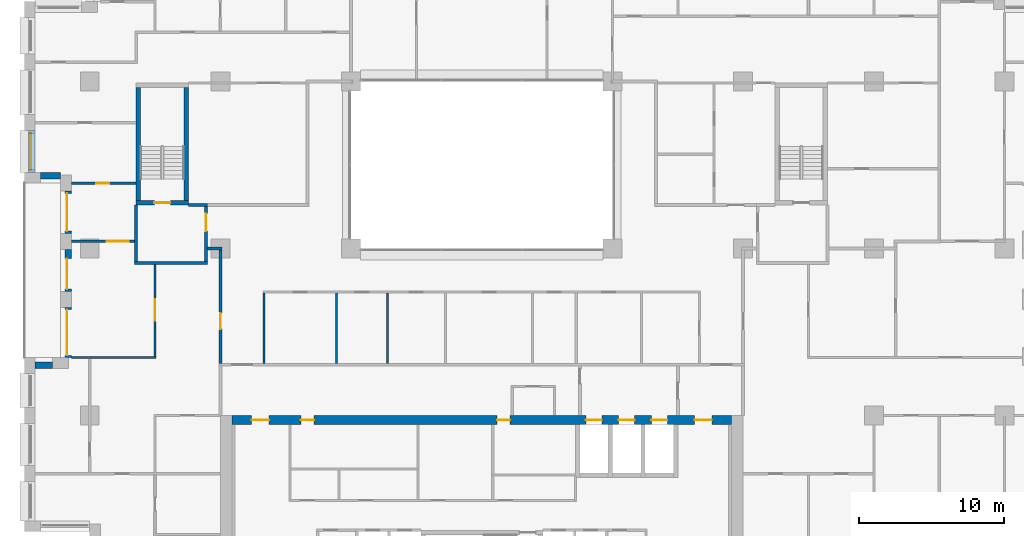
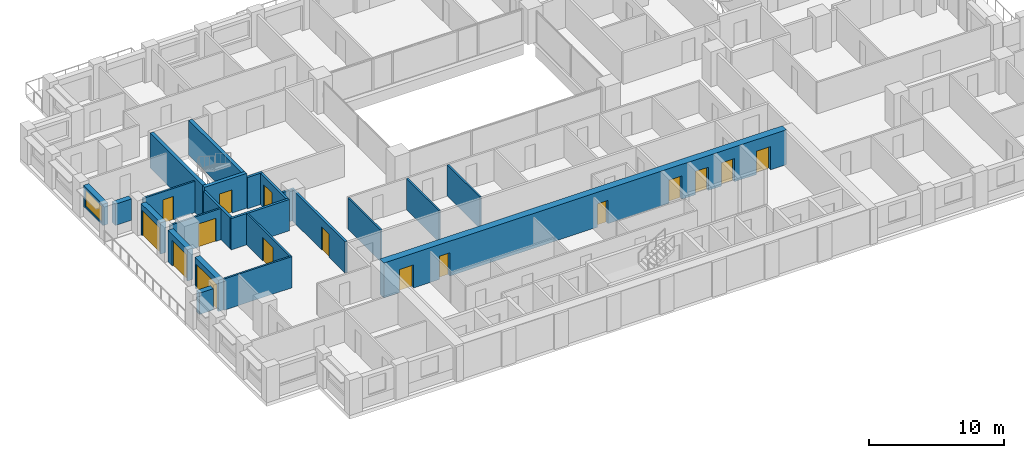
# One storey, part 9 of 16: 23 walls, 16 doors, 1 window, 17 openings.
"""IFC4 building model written with IfcOpenShell, lengths in metres."""

from ifc_helpers import new_model, si_unit, direction, frame, frame_2d, origin, place, context, subcontext, project, spatial, rectangle, extrude, material, layer, layer_set, type_object, element, fill, save


model = new_model("IFC4")

# Units and contexts
model_context = context("Model", 3, precision=1e-05, world=origin(), true_north=direction((0.0, 1.0)))
body_context = subcontext(model_context, "Body", "Model", "MODEL_VIEW")
ifc_project = project(units=[si_unit("LENGTHUNIT", "METRE"), si_unit("AREAUNIT", "SQUARE_METRE"), si_unit("VOLUMEUNIT", "CUBIC_METRE"), si_unit("PLANEANGLEUNIT", "RADIAN"), si_unit("MASSUNIT", "GRAM", prefix="KILO")], contexts=[model_context])

# Site, building, storey
site_placement = place(None, origin())
site = spatial("IfcSite", under=ifc_project, at=site_placement, CompositionType="ELEMENT")
building_placement = place(site_placement, origin())
building = spatial("IfcBuilding", under=site, at=building_placement, Name="Brigalow Station Residences", CompositionType="ELEMENT")
storey_placement = place(building_placement, frame((0.0, 0.0, 93.0)))
storey = spatial("IfcBuildingStorey", under=building, at=storey_placement, Name="L26", CompositionType="ELEMENT", Elevation=93.0)

# Wall, opening, window
ifc_material_1 = material(Name="Clay brick masonry", Category="masonry")
ifc_layer_1 = layer(ifc_material_1, 0.449951171875)
ifc_layer_set_1 = layer_set([ifc_layer_1], Name="BRICK INFILL WALL 450")
wall_type_1 = type_object("IfcWallType", Name="BRICK INFILL WALL 450", PredefinedType="SOLIDWALL", material=ifc_layer_set_1)
wall_1_placement = place(storey_placement, frame((5.02490234375, 32.116943359375, 0.89990234375), z_axis=(0.0, 0.0, 1.0), x_axis=(0.0, -1.0, 0.0)))
wall_1 = element("IfcWall", 1, at=wall_1_placement, inside=storey, type_object=wall_type_1, Name="L26/ewall/W-L26-41", PredefinedType="SOLIDWALL", context=body_context, shape_type="SweptSolid", body=[
    extrude(rectangle(XDim=2.866943359375, YDim=0.449951171875, at=frame_2d((1.43359375, 0.0))), origin(), (0.0, 0.0, 1.0), 1.93017578125),
])
opening_1_placement = place(wall_1_placement, frame((0.18359375, 0.0, 0.14990234375)))
opening_1 = element("IfcOpeningElement", 2, at=opening_1_placement, cuts=wall_1, Name="Opening WT-5", PredefinedType="OPENING", context=body_context, shape_type="SweptSolid", body=[
    extrude(rectangle(XDim=2.5, YDim=1.5, at=frame_2d((1.25, 0.75))), frame((0.0, 0.23486328125, 0.0), z_axis=(0.0, -1.0, 0.0), x_axis=(1.0, 0.0, 0.0)), (0.0, 0.0, 1.0), 0.469970703125),
])
ifc_material_2 = material(Name="Anodised aluminium frame with double glazing", Category="aluminium")
window_type = type_object("IfcWindowType", Name="WINDOW 2500x1500", PartitioningType="SINGLE_PANEL", PredefinedType="WINDOW", material=ifc_material_2)
window_placement = place(opening_1_placement, origin())
window = element("IfcWindow", 3, at=window_placement, inside=storey, type_object=window_type, Name="L26/window/W-L26-41", OverallHeight=1.5, OverallWidth=2.5, PartitioningType="SINGLE_PANEL", PredefinedType="WINDOW", context=body_context, shape_type="SweptSolid", body=[
    extrude(rectangle(XDim=2.5, YDim=1.5, at=frame_2d((1.25, 0.75))), frame((0.0, -0.06494140625, 0.0), z_axis=(0.0, -1.0, 0.0), x_axis=(1.0, 0.0, 0.0)), (0.0, 0.0, 1.0), 0.06005859375),
])
fill(opening_1, window)

# Wall
wall_2_placement = place(storey_placement, frame((5.60009765625, 29.02490234375, 0.89990234375), z_axis=(0.0, 0.0, 1.0), x_axis=(1.0, 0.0, 0.0)))
element("IfcWall", 4, at=wall_2_placement, inside=storey, type_object=wall_type_1, Name="L26/ewall/W-L26-42", PredefinedType="SOLIDWALL", context=body_context, shape_type="SweptSolid", body=[
    extrude(rectangle(XDim=1.39990234375, YDim=0.449951171875, at=frame_2d((0.699951171875, 0.0))), origin(), (0.0, 0.0, 1.0), 1.93017578125),
])

# Wall, opening, door
wall_3_placement = place(storey_placement, frame((7.52490234375, 27.949951171875, 0.0), z_axis=(0.0, 0.0, 1.0), x_axis=(0.0, -1.0, 0.0)))
wall_3 = element("IfcWall", 5, at=wall_3_placement, inside=storey, type_object=wall_type_1, Name="L26/ewall/W-L26-43", PredefinedType="SOLIDWALL", context=body_context, shape_type="SweptSolid", body=[
    extrude(rectangle(XDim=2.89990234375, YDim=0.449951171875, at=frame_2d((1.449951171875, 0.0))), origin(), (0.0, 0.0, 1.0), 2.830078125),
])
opening_2_placement = place(wall_3_placement, frame((0.14990234375, 0.0, 0.0)))
opening_2 = element("IfcOpeningElement", 6, at=opening_2_placement, cuts=wall_3, Name="Opening D-B2600", PredefinedType="OPENING", context=body_context, shape_type="SweptSolid", body=[
    extrude(rectangle(XDim=2.60009765625, YDim=2.300048828125, at=frame_2d((1.300048828125, 1.14990234375))), frame((0.0, 0.23486328125, 0.0), z_axis=(0.0, -1.0, 0.0), x_axis=(1.0, 0.0, 0.0)), (0.0, 0.0, 1.0), 0.469970703125),
])
ifc_material_3 = material(Name="Anodised aluminium frame with double glazing", Category="aluminium")
door_type_1 = type_object("IfcDoorType", Name="BALCONY SLIDING DOOR 2600x2300", OperationType="SLIDING_TO_LEFT", PredefinedType="DOOR", material=ifc_material_3)
door_1_placement = place(opening_2_placement, origin())
door_1 = element("IfcDoor", 7, at=door_1_placement, inside=storey, type_object=door_type_1, Name="L26/balcony-door/W-L26-43", OperationType="SLIDING_TO_LEFT", OverallHeight=2.300048828125, OverallWidth=2.60009765625, PredefinedType="DOOR", context=body_context, shape_type="SweptSolid", body=[
    extrude(rectangle(XDim=2.60009765625, YDim=2.300048828125, at=frame_2d((1.300048828125, 1.14990234375))), frame((0.0, -0.06982421875, 0.0), z_axis=(0.0, -1.0, 0.0), x_axis=(1.0, 0.0, 0.0)), (0.0, 0.0, 1.0), 0.050048828125),
])
fill(opening_2, door_1)

wall_4_placement = place(storey_placement, frame((7.52490234375, 23.949951171875, 0.0), z_axis=(0.0, 0.0, 1.0), x_axis=(0.0, -1.0, 0.0)))
wall_4 = element("IfcWall", 8, at=wall_4_placement, inside=storey, type_object=wall_type_1, Name="L26/ewall/W-L26-44", PredefinedType="SOLIDWALL", context=body_context, shape_type="SweptSolid", body=[
    extrude(rectangle(XDim=2.89990234375, YDim=0.449951171875, at=frame_2d((1.449951171875, 0.0))), origin(), (0.0, 0.0, 1.0), 2.830078125),
])
opening_3_placement = place(wall_4_placement, frame((0.635009765625, 0.0, 0.0)))
opening_3 = element("IfcOpeningElement", 9, at=opening_3_placement, cuts=wall_4, Name="Opening D-B2100", PredefinedType="OPENING", context=body_context, shape_type="SweptSolid", body=[
    extrude(rectangle(XDim=2.10009765625, YDim=2.300048828125, at=frame_2d((1.050048828125, 1.14990234375))), frame((0.0, 0.23486328125, 0.0), z_axis=(0.0, -1.0, 0.0), x_axis=(1.0, 0.0, 0.0)), (0.0, 0.0, 1.0), 0.469970703125),
])
ifc_material_4 = material(Name="Anodised aluminium frame with double glazing", Category="aluminium")
door_type_2 = type_object("IfcDoorType", Name="BALCONY SLIDING DOOR 2100x2300", OperationType="SLIDING_TO_LEFT", PredefinedType="DOOR", material=ifc_material_4)
door_2_placement = place(opening_3_placement, origin())
door_2 = element("IfcDoor", 10, at=door_2_placement, inside=storey, type_object=door_type_2, Name="L26/balcony-door/W-L26-44", OperationType="SLIDING_TO_LEFT", OverallHeight=2.300048828125, OverallWidth=2.10009765625, PredefinedType="DOOR", context=body_context, shape_type="SweptSolid", body=[
    extrude(rectangle(XDim=2.10009765625, YDim=2.300048828125, at=frame_2d((1.050048828125, 1.14990234375))), frame((0.0, -0.06982421875, 0.0), z_axis=(0.0, -1.0, 0.0), x_axis=(1.0, 0.0, 0.0)), (0.0, 0.0, 1.0), 0.050048828125),
])
fill(opening_3, door_2)

wall_5_placement = place(storey_placement, frame((7.52490234375, 19.949951171875, 0.0), z_axis=(0.0, 0.0, 1.0), x_axis=(0.0, -1.0, 0.0)))
wall_5 = element("IfcWall", 11, at=wall_5_placement, inside=storey, type_object=wall_type_1, Name="L26/ewall/W-L26-45", PredefinedType="SOLIDWALL", context=body_context, shape_type="SweptSolid", body=[
    extrude(rectangle(XDim=3.449951171875, YDim=0.449951171875, at=frame_2d((1.72509765625, 0.0))), origin(), (0.0, 0.0, 1.0), 2.830078125),
])
opening_4_placement = place(wall_5_placement, frame((0.14990234375, 0.0, 0.0)))
opening_4 = element("IfcOpeningElement", 12, at=opening_4_placement, cuts=wall_5, Name="Opening D-B3150", PredefinedType="OPENING", context=body_context, shape_type="SweptSolid", body=[
    extrude(rectangle(XDim=3.14990234375, YDim=2.300048828125, at=frame_2d((1.574951171875, 1.14990234375))), frame((0.0, 0.23486328125, 0.0), z_axis=(0.0, -1.0, 0.0), x_axis=(1.0, 0.0, 0.0)), (0.0, 0.0, 1.0), 0.469970703125),
])
ifc_material_5 = material(Name="Anodised aluminium frame with double glazing", Category="aluminium")
door_type_3 = type_object("IfcDoorType", Name="BALCONY SLIDING DOOR 3150x2300", OperationType="SLIDING_TO_LEFT", PredefinedType="DOOR", material=ifc_material_5)
door_3_placement = place(opening_4_placement, origin())
door_3 = element("IfcDoor", 13, at=door_3_placement, inside=storey, type_object=door_type_3, Name="L26/balcony-door/W-L26-45", OperationType="SLIDING_TO_LEFT", OverallHeight=2.300048828125, OverallWidth=3.14990234375, PredefinedType="DOOR", context=body_context, shape_type="SweptSolid", body=[
    extrude(rectangle(XDim=3.14990234375, YDim=2.300048828125, at=frame_2d((1.574951171875, 1.14990234375))), frame((0.0, -0.06982421875, 0.0), z_axis=(0.0, -1.0, 0.0), x_axis=(1.0, 0.0, 0.0)), (0.0, 0.0, 1.0), 0.050048828125),
])
fill(opening_4, door_3)

# Wall
wall_6_placement = place(storey_placement, frame((6.449951171875, 15.97509765625, 0.89990234375), z_axis=(0.0, 0.0, 1.0), x_axis=(-1.0, 0.0, 0.0)))
element("IfcWall", 14, at=wall_6_placement, inside=storey, type_object=wall_type_1, Name="L26/ewall/W-L26-46", PredefinedType="SOLIDWALL", context=body_context, shape_type="SweptSolid", body=[
    extrude(rectangle(XDim=1.199951171875, YDim=0.449951171875, at=frame_2d((0.60009765625, 0.0))), origin(), (0.0, 0.0, 1.0), 1.93017578125),
])

# Wall, opening, door
ifc_material_6 = material(Name="Concrete C65", Category="concrete")
ifc_layer_2 = layer(ifc_material_6, 0.300048828125)
ifc_layer_set_2 = layer_set([ifc_layer_2], Name="CORE SHEAR WALL 300 C65")
wall_type_2 = type_object("IfcWallType", Name="CORE SHEAR WALL 300 C65", PredefinedType="SHEAR", material=ifc_layer_set_2)
wall_7_placement = place(storey_placement, frame((12.199951171875, 27.14990234375, 0.0), z_axis=(0.0, 0.0, 1.0), x_axis=(1.0, 0.0, 0.0)))
wall_7 = element("IfcWall", 15, at=wall_7_placement, inside=storey, type_object=wall_type_2, Name="CORE WALL ST-S1-S L26", PredefinedType="SHEAR", context=body_context, shape_type="SweptSolid", body=[
    extrude(rectangle(XDim=3.60009765625, YDim=0.300048828125, at=frame_2d((1.800048828125, 0.0))), origin(), (0.0, 0.0, 1.0), 3.14990234375),
])
opening_5_placement = place(wall_7_placement, frame((1.25, 0.0, 0.0)))
opening_5 = element("IfcOpeningElement", 16, at=opening_5_placement, cuts=wall_7, Name="Opening D-5015", PredefinedType="OPENING", context=body_context, shape_type="SweptSolid", body=[
    extrude(rectangle(XDim=1.10009765625, YDim=2.10009765625, at=frame_2d((0.550048828125, 1.050048828125))), frame((0.0, 0.16015625, 0.0), z_axis=(0.0, -1.0, 0.0), x_axis=(1.0, 0.0, 0.0)), (0.0, 0.0, 1.0), 0.320068359375),
])
ifc_material_7 = material(Name="Steel fire door leaf in steel frame", Category="steel")
door_type_4 = type_object("IfcDoorType", Name="STAIR DOOR 1100 x 2100 FD60S", OperationType="SINGLE_SWING_LEFT", PredefinedType="DOOR", material=ifc_material_7)
door_4_placement = place(opening_5_placement, origin())
door_4 = element("IfcDoor", 17, at=door_4_placement, inside=storey, type_object=door_type_4, Name="D-5015", OperationType="SINGLE_SWING_LEFT", OverallHeight=2.10009765625, OverallWidth=1.10009765625, PredefinedType="DOOR", context=body_context, shape_type="SweptSolid", body=[
    extrude(rectangle(XDim=1.10009765625, YDim=2.10009765625, at=frame_2d((0.550048828125, 1.050048828125))), frame((0.0, 0.02490234375, 0.0), z_axis=(0.0, -1.0, 0.0), x_axis=(1.0, 0.0, 0.0)), (0.0, 0.0, 1.0), 0.050048828125),
])
fill(opening_5, door_4)

# Walls
for number, where, z_axis, x_axis, name in (
    (18, (12.35009765625, 27.300048828125, 0.0), (0.0, 0.0, 1.0), (0.0, 1.0, 0.0), "CORE WALL ST-S1-W L26"),
    (19, (15.64990234375, 27.300048828125, 0.0), (0.0, 0.0, 1.0), (0.0, 1.0, 0.0), "CORE WALL ST-S1-E L26"),
):
    element("IfcWall", number, at=place(storey_placement, frame(where, z_axis=z_axis, x_axis=x_axis)), inside=storey, type_object=wall_type_2, Name=name, PredefinedType="SHEAR", context=body_context, shape_type="SweptSolid", body=[
        extrude(rectangle(XDim=7.800048828125, YDim=0.300048828125, at=frame_2d((3.89990234375, 0.0))), origin(), (0.0, 0.0, 1.0), 3.14990234375),
    ])

# Wall, openings, doors
ifc_material_8 = material(Name="Concrete C65", Category="concrete")
ifc_layer_3 = layer(ifc_material_8, 0.60009765625)
ifc_layer_set_3 = layer_set([ifc_layer_3], Name="CORE SHEAR WALL 600 C65")
wall_type_3 = type_object("IfcWallType", Name="CORE SHEAR WALL 600 C65", PredefinedType="SHEAR", material=ifc_layer_set_3)
wall_8_placement = place(storey_placement, frame((18.800048828125, 12.199951171875, 0.0), z_axis=(0.0, 0.0, 1.0), x_axis=(1.0, 0.0, 0.0)))
wall_8 = element("IfcWall", 20, at=wall_8_placement, inside=storey, type_object=wall_type_3, Name="CORE WALL OUT-N L26", PredefinedType="SHEAR", context=body_context, shape_type="SweptSolid", body=[
    extrude(rectangle(XDim=34.39990234375, YDim=0.60009765625, at=frame_2d((17.199951171875, 0.0))), origin(), (0.0, 0.0, 1.0), 3.14990234375),
])
opening_6_placement = place(wall_8_placement, frame((24.375, 0.0, 0.0)))
opening_6 = element("IfcOpeningElement", 21, at=opening_6_placement, cuts=wall_8, Name="Opening LD-LF1", PredefinedType="OPENING", context=body_context, shape_type="SweptSolid", body=[
    extrude(rectangle(XDim=1.10009765625, YDim=2.10009765625, at=frame_2d((0.550048828125, 1.050048828125))), frame((0.0, 0.31005859375, 0.0), z_axis=(0.0, -1.0, 0.0), x_axis=(1.0, 0.0, 0.0)), (0.0, 0.0, 1.0), 0.6201171875),
])
opening_7_placement = place(wall_8_placement, frame((26.625, 0.0, 0.0)))
opening_7 = element("IfcOpeningElement", 22, at=opening_7_placement, cuts=wall_8, Name="Opening LD-LF2", PredefinedType="OPENING", context=body_context, shape_type="SweptSolid", body=[
    extrude(rectangle(XDim=1.10009765625, YDim=2.10009765625, at=frame_2d((0.550048828125, 1.050048828125))), frame((0.0, 0.31005859375, 0.0), z_axis=(0.0, -1.0, 0.0), x_axis=(1.0, 0.0, 0.0)), (0.0, 0.0, 1.0), 0.6201171875),
])
opening_8_placement = place(wall_8_placement, frame((28.875, 0.0, 0.0)))
opening_8 = element("IfcOpeningElement", 23, at=opening_8_placement, cuts=wall_8, Name="Opening LD-LG1", PredefinedType="OPENING", context=body_context, shape_type="SweptSolid", body=[
    extrude(rectangle(XDim=1.10009765625, YDim=2.10009765625, at=frame_2d((0.550048828125, 1.050048828125))), frame((0.0, 0.31005859375, 0.0), z_axis=(0.0, -1.0, 0.0), x_axis=(1.0, 0.0, 0.0)), (0.0, 0.0, 1.0), 0.6201171875),
])
opening_9_placement = place(wall_8_placement, frame((4.75, 0.0, 0.0)))
opening_9 = element("IfcOpeningElement", 24, at=opening_9_placement, cuts=wall_8, Name="Opening D-5118", PredefinedType="OPENING", context=body_context, shape_type="SweptSolid", body=[
    extrude(rectangle(XDim=0.89990234375, YDim=2.10009765625, at=frame_2d((0.449951171875, 1.050048828125))), frame((0.0, 0.31005859375, 0.0), z_axis=(0.0, -1.0, 0.0), x_axis=(1.0, 0.0, 0.0)), (0.0, 0.0, 1.0), 0.6201171875),
])
opening_10_placement = place(wall_8_placement, frame((18.25, 0.0, 0.0)))
opening_10 = element("IfcOpeningElement", 25, at=opening_10_placement, cuts=wall_8, Name="Opening D-5119", PredefinedType="OPENING", context=body_context, shape_type="SweptSolid", body=[
    extrude(rectangle(XDim=0.89990234375, YDim=2.10009765625, at=frame_2d((0.449951171875, 1.050048828125))), frame((0.0, 0.31005859375, 0.0), z_axis=(0.0, -1.0, 0.0), x_axis=(1.0, 0.0, 0.0)), (0.0, 0.0, 1.0), 0.6201171875),
])
opening_11_placement = place(wall_8_placement, frame((1.35009765625, 0.0, 0.0)))
opening_11 = element("IfcOpeningElement", 26, at=opening_11_placement, cuts=wall_8, Name="Opening D-5011", PredefinedType="OPENING", context=body_context, shape_type="SweptSolid", body=[
    extrude(rectangle(XDim=1.199951171875, YDim=2.10009765625, at=frame_2d((0.60009765625, 1.050048828125))), frame((0.0, 0.31005859375, 0.0), z_axis=(0.0, -1.0, 0.0), x_axis=(1.0, 0.0, 0.0)), (0.0, 0.0, 1.0), 0.6201171875),
])
opening_12_placement = place(wall_8_placement, frame((31.85009765625, 0.0, 0.0)))
opening_12 = element("IfcOpeningElement", 27, at=opening_12_placement, cuts=wall_8, Name="Opening D-5012", PredefinedType="OPENING", context=body_context, shape_type="SweptSolid", body=[
    extrude(rectangle(XDim=1.199951171875, YDim=2.10009765625, at=frame_2d((0.60009765625, 1.050048828125))), frame((0.0, 0.31005859375, 0.0), z_axis=(0.0, -1.0, 0.0), x_axis=(1.0, 0.0, 0.0)), (0.0, 0.0, 1.0), 0.6201171875),
])
ifc_material_9 = material(Name="Steel fire door leaf in steel frame", Category="steel")
door_type_5 = type_object("IfcDoorType", Name="CORE CORRIDOR DOOR 1200 x 2100 FD60S", OperationType="SINGLE_SWING_LEFT", PredefinedType="DOOR", material=ifc_material_9)
door_5_placement = place(opening_11_placement, frame((1.199951171875, 0.0, 0.0), z_axis=(0.0, 0.0, 1.0), x_axis=(-1.0, 0.0, 0.0)))
door_5 = element("IfcDoor", 28, at=door_5_placement, inside=storey, type_object=door_type_5, Name="D-5011", OperationType="SINGLE_SWING_LEFT", OverallHeight=2.10009765625, OverallWidth=1.199951171875, PredefinedType="DOOR", context=body_context, shape_type="SweptSolid", body=[
    extrude(rectangle(XDim=1.199951171875, YDim=2.10009765625, at=frame_2d((0.60009765625, 1.050048828125))), frame((0.0, 0.02490234375, 0.0), z_axis=(0.0, -1.0, 0.0), x_axis=(1.0, 0.0, 0.0)), (0.0, 0.0, 1.0), 0.050048828125),
])
fill(opening_11, door_5)
door_6_placement = place(opening_12_placement, frame((1.199951171875, 0.0, 0.0), z_axis=(0.0, 0.0, 1.0), x_axis=(-1.0, 0.0, 0.0)))
door_6 = element("IfcDoor", 29, at=door_6_placement, inside=storey, type_object=door_type_5, Name="D-5012", OperationType="SINGLE_SWING_LEFT", OverallHeight=2.10009765625, OverallWidth=1.199951171875, PredefinedType="DOOR", context=body_context, shape_type="SweptSolid", body=[
    extrude(rectangle(XDim=1.199951171875, YDim=2.10009765625, at=frame_2d((0.60009765625, 1.050048828125))), frame((0.0, 0.02490234375, 0.0), z_axis=(0.0, -1.0, 0.0), x_axis=(1.0, 0.0, 0.0)), (0.0, 0.0, 1.0), 0.050048828125),
])
fill(opening_12, door_6)
ifc_material_10 = material(Name="Stainless steel sliding door leaves", Category="steel")
door_type_6 = type_object("IfcDoorType", Name="LIFT LANDING DOOR 1100 x 2100", OperationType="DOUBLE_DOOR_SLIDING", PredefinedType="DOOR", material=ifc_material_10)
door_7_placement = place(opening_6_placement, origin())
door_7 = element("IfcDoor", 30, at=door_7_placement, inside=storey, type_object=door_type_6, Name="LANDING DOOR LF1", OperationType="DOUBLE_DOOR_SLIDING", OverallHeight=2.10009765625, OverallWidth=1.10009765625, PredefinedType="DOOR", context=body_context, shape_type="SweptSolid", body=[
    extrude(rectangle(XDim=1.10009765625, YDim=2.10009765625, at=frame_2d((0.550048828125, 1.050048828125))), frame((0.0, 0.02490234375, 0.0), z_axis=(0.0, -1.0, 0.0), x_axis=(1.0, 0.0, 0.0)), (0.0, 0.0, 1.0), 0.050048828125),
])
fill(opening_6, door_7)
door_8_placement = place(opening_7_placement, origin())
door_8 = element("IfcDoor", 31, at=door_8_placement, inside=storey, type_object=door_type_6, Name="LANDING DOOR LF2", OperationType="DOUBLE_DOOR_SLIDING", OverallHeight=2.10009765625, OverallWidth=1.10009765625, PredefinedType="DOOR", context=body_context, shape_type="SweptSolid", body=[
    extrude(rectangle(XDim=1.10009765625, YDim=2.10009765625, at=frame_2d((0.550048828125, 1.050048828125))), frame((0.0, 0.02490234375, 0.0), z_axis=(0.0, -1.0, 0.0), x_axis=(1.0, 0.0, 0.0)), (0.0, 0.0, 1.0), 0.050048828125),
])
fill(opening_7, door_8)
door_9_placement = place(opening_8_placement, origin())
door_9 = element("IfcDoor", 32, at=door_9_placement, inside=storey, type_object=door_type_6, Name="LANDING DOOR LG1", OperationType="DOUBLE_DOOR_SLIDING", OverallHeight=2.10009765625, OverallWidth=1.10009765625, PredefinedType="DOOR", context=body_context, shape_type="SweptSolid", body=[
    extrude(rectangle(XDim=1.10009765625, YDim=2.10009765625, at=frame_2d((0.550048828125, 1.050048828125))), frame((0.0, 0.02490234375, 0.0), z_axis=(0.0, -1.0, 0.0), x_axis=(1.0, 0.0, 0.0)), (0.0, 0.0, 1.0), 0.050048828125),
])
fill(opening_8, door_9)
ifc_material_11 = material(Name="Steel door leaf in steel frame", Category="steel")
door_type_7 = type_object("IfcDoorType", Name="SERVICE ROOM DOOR 900 x 2100 FD60", OperationType="SINGLE_SWING_LEFT", PredefinedType="DOOR", material=ifc_material_11)
door_10_placement = place(opening_9_placement, frame((0.89990234375, 0.0, 0.0), z_axis=(0.0, 0.0, 1.0), x_axis=(-1.0, 0.0, 0.0)))
door_10 = element("IfcDoor", 33, at=door_10_placement, inside=storey, type_object=door_type_7, Name="D-5118", OperationType="SINGLE_SWING_RIGHT", OverallHeight=2.10009765625, OverallWidth=0.89990234375, PredefinedType="DOOR", context=body_context, shape_type="SweptSolid", body=[
    extrude(rectangle(XDim=0.89990234375, YDim=2.10009765625, at=frame_2d((0.449951171875, 1.050048828125))), frame((0.0, 0.02490234375, 0.0), z_axis=(0.0, -1.0, 0.0), x_axis=(1.0, 0.0, 0.0)), (0.0, 0.0, 1.0), 0.050048828125),
])
fill(opening_9, door_10)
door_11_placement = place(opening_10_placement, frame((0.89990234375, 0.0, 0.0), z_axis=(0.0, 0.0, 1.0), x_axis=(-1.0, 0.0, 0.0)))
door_11 = element("IfcDoor", 34, at=door_11_placement, inside=storey, type_object=door_type_7, Name="D-5119", OperationType="SINGLE_SWING_RIGHT", OverallHeight=2.10009765625, OverallWidth=0.89990234375, PredefinedType="DOOR", context=body_context, shape_type="SweptSolid", body=[
    extrude(rectangle(XDim=0.89990234375, YDim=2.10009765625, at=frame_2d((0.449951171875, 1.050048828125))), frame((0.0, 0.02490234375, 0.0), z_axis=(0.0, -1.0, 0.0), x_axis=(1.0, 0.0, 0.0)), (0.0, 0.0, 1.0), 0.050048828125),
])
fill(opening_10, door_11)

# Walls
ifc_material_12 = material(Name="Concrete blockwork", Category="masonry")
ifc_layer_4 = layer(ifc_material_12, 0.199951171875)
ifc_layer_set_4 = layer_set([ifc_layer_4], Name="FIRE RATED CORE PARTITION 200")
wall_type_4 = type_object("IfcWallType", Name="FIRE RATED CORE PARTITION 200", PredefinedType="PARTITIONING", material=ifc_layer_set_4)
wall_9_placement = place(storey_placement, frame((12.10009765625, 23.0, 0.0), z_axis=(0.0, 0.0, 1.0), x_axis=(1.0, 0.0, 0.0)))
element("IfcWall", 35, at=wall_9_placement, inside=storey, type_object=wall_type_4, Name="PW-5023", PredefinedType="PARTITIONING", context=body_context, shape_type="SweptSolid", body=[
    extrude(rectangle(XDim=5.0, YDim=0.199951171875, at=frame_2d((2.5, 0.0))), origin(), (0.0, 0.0, 1.0), 2.830078125),
])
wall_10_placement = place(storey_placement, frame((15.800048828125, 27.0, 0.0), z_axis=(0.0, 0.0, 1.0), x_axis=(1.0, 0.0, 0.0)))
element("IfcWall", 36, at=wall_10_placement, inside=storey, type_object=wall_type_4, Name="PW-5025", PredefinedType="PARTITIONING", context=body_context, shape_type="SweptSolid", body=[
    extrude(rectangle(XDim=1.300048828125, YDim=0.199951171875, at=frame_2d((0.64990234375, 0.0))), origin(), (0.0, 0.0, 1.0), 2.830078125),
])
wall_11_placement = place(storey_placement, frame((12.199951171875, 23.10009765625, 0.0), z_axis=(0.0, 0.0, 1.0), x_axis=(0.0, 1.0, 0.0)))
element("IfcWall", 37, at=wall_11_placement, inside=storey, type_object=wall_type_4, Name="PW-5034", PredefinedType="PARTITIONING", context=body_context, shape_type="SweptSolid", body=[
    extrude(rectangle(XDim=3.89990234375, YDim=0.199951171875, at=frame_2d((1.949951171875, 0.0))), origin(), (0.0, 0.0, 1.0), 2.830078125),
])

# Wall, opening, door
wall_12_placement = place(storey_placement, frame((17.0, 23.10009765625, 0.0), z_axis=(0.0, 0.0, 1.0), x_axis=(0.0, 1.0, 0.0)))
wall_12 = element("IfcWall", 38, at=wall_12_placement, inside=storey, type_object=wall_type_4, Name="PW-5035", PredefinedType="PARTITIONING", context=body_context, shape_type="SweptSolid", body=[
    extrude(rectangle(XDim=3.7998046875, YDim=0.199951171875, at=frame_2d((1.89990234375, 0.0))), origin(), (0.0, 0.0, 1.0), 2.830078125),
])
opening_13_placement = place(wall_12_placement, frame((2.10009765625, 0.0, 0.0)))
opening_13 = element("IfcOpeningElement", 39, at=opening_13_placement, cuts=wall_12, Name="Opening D-5016", PredefinedType="OPENING", context=body_context, shape_type="SweptSolid", body=[
    extrude(rectangle(XDim=1.199951171875, YDim=2.10009765625, at=frame_2d((0.60009765625, 1.050048828125))), frame((0.0, 0.10986328125, 0.0), z_axis=(0.0, -1.0, 0.0), x_axis=(1.0, 0.0, 0.0)), (0.0, 0.0, 1.0), 0.219970703125),
])
ifc_material_13 = material(Name="Steel fire door leaf in steel frame", Category="steel")
door_type_8 = type_object("IfcDoorType", Name="STAIR LOBBY DOOR 1200 x 2100 FD60S", OperationType="SINGLE_SWING_LEFT", PredefinedType="DOOR", material=ifc_material_13)
door_12_placement = place(opening_13_placement, origin())
door_12 = element("IfcDoor", 40, at=door_12_placement, inside=storey, type_object=door_type_8, Name="D-5016", OperationType="SINGLE_SWING_RIGHT", OverallHeight=2.10009765625, OverallWidth=1.199951171875, PredefinedType="DOOR", context=body_context, shape_type="SweptSolid", body=[
    extrude(rectangle(XDim=1.199951171875, YDim=2.10009765625, at=frame_2d((0.60009765625, 1.050048828125))), frame((0.0, 0.02490234375, 0.0), z_axis=(0.0, -1.0, 0.0), x_axis=(1.0, 0.0, 0.0)), (0.0, 0.0, 1.0), 0.050048828125),
])
fill(opening_13, door_12)

# Wall
ifc_material_14 = material(Name="Plasterboard on steel stud partition", Category="steel")
ifc_layer_5 = layer(ifc_material_14, 0.14990234375)
ifc_layer_set_5 = layer_set([ifc_layer_5], Name="FLAT PARTITION 150")
wall_type_5 = type_object("IfcWallType", Name="FLAT PARTITION 150", PredefinedType="PARTITIONING", material=ifc_layer_set_5)
wall_13_placement = place(storey_placement, frame((7.75, 16.5, 0.0), z_axis=(0.0, 0.0, 1.0), x_axis=(1.0, 0.0, 0.0)))
element("IfcWall", 41, at=wall_13_placement, inside=storey, type_object=wall_type_5, Name="PW-2B14", PredefinedType="PARTITIONING", context=body_context, shape_type="SweptSolid", body=[
    extrude(rectangle(XDim=5.824951171875, YDim=0.14990234375, at=frame_2d((2.91259765625, 0.0))), origin(), (0.0, 0.0, 1.0), 2.830078125),
])

# Wall, opening, door
wall_14_placement = place(storey_placement, frame((7.75, 24.5, 0.0), z_axis=(0.0, 0.0, 1.0), x_axis=(1.0, 0.0, 0.0)))
wall_14 = element("IfcWall", 42, at=wall_14_placement, inside=storey, type_object=wall_type_5, Name="PW-2B18", PredefinedType="PARTITIONING", context=body_context, shape_type="SweptSolid", body=[
    extrude(rectangle(XDim=4.35009765625, YDim=0.14990234375, at=frame_2d((2.175048828125, 0.0))), origin(), (0.0, 0.0, 1.0), 2.830078125),
])
opening_14_placement = place(wall_14_placement, frame((2.425048828125, 0.0, 0.0)))
opening_14 = element("IfcOpeningElement", 43, at=opening_14_placement, cuts=wall_14, Name="Opening D-2B10", PredefinedType="OPENING", context=body_context, shape_type="SweptSolid", body=[
    extrude(rectangle(XDim=1.5, YDim=2.10009765625, at=frame_2d((0.75, 1.050048828125))), frame((0.0, 0.0849609375, 0.0), z_axis=(0.0, -1.0, 0.0), x_axis=(1.0, 0.0, 0.0)), (0.0, 0.0, 1.0), 0.169921875),
])
ifc_material_15 = material(Name="Solid-core timber door leaf", Category="wood")
door_type_9 = type_object("IfcDoorType", Name="INTERNAL DOUBLE DOOR 1500 x 2100", OperationType="DOUBLE_DOOR_SINGLE_SWING", PredefinedType="DOOR", material=ifc_material_15)
door_13_placement = place(opening_14_placement, origin())
door_13 = element("IfcDoor", 44, at=door_13_placement, inside=storey, type_object=door_type_9, Name="D-2B10", OperationType="DOUBLE_DOOR_SINGLE_SWING", OverallHeight=2.10009765625, OverallWidth=1.5, PredefinedType="DOOR", context=body_context, shape_type="SweptSolid", body=[
    extrude(rectangle(XDim=1.5, YDim=2.10009765625, at=frame_2d((0.75, 1.050048828125))), frame((0.0, 0.02490234375, 0.0), z_axis=(0.0, -1.0, 0.0), x_axis=(1.0, 0.0, 0.0)), (0.0, 0.0, 1.0), 0.050048828125),
])
fill(opening_14, door_13)

wall_15_placement = place(storey_placement, frame((7.75, 28.5, 0.0), z_axis=(0.0, 0.0, 1.0), x_axis=(1.0, 0.0, 0.0)))
wall_15 = element("IfcWall", 45, at=wall_15_placement, inside=storey, type_object=wall_type_5, Name="PW-2B21", PredefinedType="PARTITIONING", context=body_context, shape_type="SweptSolid", body=[
    extrude(rectangle(XDim=4.449951171875, YDim=0.14990234375, at=frame_2d((2.22509765625, 0.0))), origin(), (0.0, 0.0, 1.0), 2.830078125),
])
opening_15_placement = place(wall_15_placement, frame((1.699951171875, 0.0, 0.0)))
opening_15 = element("IfcOpeningElement", 46, at=opening_15_placement, cuts=wall_15, Name="Opening D-2B11", PredefinedType="OPENING", context=body_context, shape_type="SweptSolid", body=[
    extrude(rectangle(XDim=0.89990234375, YDim=2.10009765625, at=frame_2d((0.449951171875, 1.050048828125))), frame((0.0, 0.0849609375, 0.0), z_axis=(0.0, -1.0, 0.0), x_axis=(1.0, 0.0, 0.0)), (0.0, 0.0, 1.0), 0.169921875),
])
ifc_material_16 = material(Name="Solid-core timber door leaf", Category="wood")
door_type_10 = type_object("IfcDoorType", Name="INTERNAL DOOR 900 x 2100", OperationType="SINGLE_SWING_LEFT", PredefinedType="DOOR", material=ifc_material_16)
door_14_placement = place(opening_15_placement, frame((0.89990234375, 0.0, 0.0), z_axis=(0.0, 0.0, 1.0), x_axis=(-1.0, 0.0, 0.0)))
door_14 = element("IfcDoor", 47, at=door_14_placement, inside=storey, type_object=door_type_10, Name="D-2B11", OperationType="SINGLE_SWING_RIGHT", OverallHeight=2.10009765625, OverallWidth=0.89990234375, PredefinedType="DOOR", context=body_context, shape_type="SweptSolid", body=[
    extrude(rectangle(XDim=0.89990234375, YDim=2.10009765625, at=frame_2d((0.449951171875, 1.050048828125))), frame((0.0, 0.02490234375, 0.0), z_axis=(0.0, -1.0, 0.0), x_axis=(1.0, 0.0, 0.0)), (0.0, 0.0, 1.0), 0.050048828125),
])
fill(opening_15, door_14)

# Wall
wall_16_placement = place(storey_placement, frame((21.0, 16.10009765625, 0.0), z_axis=(0.0, 0.0, 1.0), x_axis=(0.0, 1.0, 0.0)))
element("IfcWall", 48, at=wall_16_placement, inside=storey, type_object=wall_type_5, Name="PW-2B41", PredefinedType="PARTITIONING", context=body_context, shape_type="SweptSolid", body=[
    extrude(rectangle(XDim=4.824951171875, YDim=0.14990234375, at=frame_2d((2.41259765625, 0.0))), origin(), (0.0, 0.0, 1.0), 2.830078125),
])

# Wall, opening, door
wall_17_placement = place(storey_placement, frame((13.5, 16.574951171875, 0.0), z_axis=(0.0, 0.0, 1.0), x_axis=(0.0, 1.0, 0.0)))
wall_17 = element("IfcWall", 49, at=wall_17_placement, inside=storey, type_object=wall_type_5, Name="PW-2B47", PredefinedType="PARTITIONING", context=body_context, shape_type="SweptSolid", body=[
    extrude(rectangle(XDim=6.324951171875, YDim=0.14990234375, at=frame_2d((3.16259765625, 0.0))), origin(), (0.0, 0.0, 1.0), 2.830078125),
])
opening_16_placement = place(wall_17_placement, frame((2.449951171875, 0.0, 0.0)))
opening_16 = element("IfcOpeningElement", 50, at=opening_16_placement, cuts=wall_17, Name="Opening D-2B09", PredefinedType="OPENING", context=body_context, shape_type="SweptSolid", body=[
    extrude(rectangle(XDim=1.5, YDim=2.10009765625, at=frame_2d((0.75, 1.050048828125))), frame((0.0, 0.0849609375, 0.0), z_axis=(0.0, -1.0, 0.0), x_axis=(1.0, 0.0, 0.0)), (0.0, 0.0, 1.0), 0.169921875),
])
door_15_placement = place(opening_16_placement, origin())
door_15 = element("IfcDoor", 51, at=door_15_placement, inside=storey, type_object=door_type_9, Name="D-2B09", OperationType="DOUBLE_DOOR_SINGLE_SWING", OverallHeight=2.10009765625, OverallWidth=1.5, PredefinedType="DOOR", context=body_context, shape_type="SweptSolid", body=[
    extrude(rectangle(XDim=1.5, YDim=2.10009765625, at=frame_2d((0.75, 1.050048828125))), frame((0.0, 0.02490234375, 0.0), z_axis=(0.0, -1.0, 0.0), x_axis=(1.0, 0.0, 0.0)), (0.0, 0.0, 1.0), 0.050048828125),
])
fill(opening_16, door_15)

# Walls
for number, where, z_axis, x_axis, name in (
    (52, (26.0, 16.10009765625, 0.0), (0.0, 0.0, 1.0), (0.0, 1.0, 0.0), "PW-2B69"),
    (53, (29.5, 16.10009765625, 0.0), (0.0, 0.0, 1.0), (0.0, 1.0, 0.0), "PW-2B70"),
):
    element("IfcWall", number, at=place(storey_placement, frame(where, z_axis=z_axis, x_axis=x_axis)), inside=storey, type_object=wall_type_5, Name=name, PredefinedType="PARTITIONING", context=body_context, shape_type="SweptSolid", body=[
        extrude(rectangle(XDim=4.824951171875, YDim=0.14990234375, at=frame_2d((2.41259765625, 0.0))), origin(), (0.0, 0.0, 1.0), 2.830078125),
    ])
ifc_material_17 = material(Name="Plasterboard on steel stud partition", Category="steel")
ifc_layer_6 = layer(ifc_material_17, 0.199951171875)
ifc_layer_set_6 = layer_set([ifc_layer_6], Name="PARTY AND CORRIDOR WALL 200")
wall_type_6 = type_object("IfcWallType", Name="PARTY AND CORRIDOR WALL 200", PredefinedType="PARTITIONING", material=ifc_layer_set_6)
wall_18_placement = place(storey_placement, frame((17.10009765625, 24.0, 0.0), z_axis=(0.0, 0.0, 1.0), x_axis=(1.0, 0.0, 0.0)))
element("IfcWall", 54, at=wall_18_placement, inside=storey, type_object=wall_type_6, Name="PW-2B02", PredefinedType="PARTITIONING", context=body_context, shape_type="SweptSolid", body=[
    extrude(rectangle(XDim=1.0, YDim=0.199951171875, at=frame_2d((0.5, 0.0))), origin(), (0.0, 0.0, 1.0), 2.830078125),
])

# Wall, opening, door
wall_19_placement = place(storey_placement, frame((18.0, 16.10009765625, 0.0), z_axis=(0.0, 0.0, 1.0), x_axis=(0.0, 1.0, 0.0)))
wall_19 = element("IfcWall", 55, at=wall_19_placement, inside=storey, type_object=wall_type_6, Name="PW-2B39", PredefinedType="PARTITIONING", context=body_context, shape_type="SweptSolid", body=[
    extrude(rectangle(XDim=7.7998046875, YDim=0.199951171875, at=frame_2d((3.89990234375, 0.0))), origin(), (0.0, 0.0, 1.0), 2.830078125),
])
opening_17_placement = place(wall_19_placement, frame((2.35009765625, 0.0, 0.0)))
opening_17 = element("IfcOpeningElement", 56, at=opening_17_placement, cuts=wall_19, Name="Opening D-2B03", PredefinedType="OPENING", context=body_context, shape_type="SweptSolid", body=[
    extrude(rectangle(XDim=1.10009765625, YDim=2.10009765625, at=frame_2d((0.550048828125, 1.050048828125))), frame((0.0, 0.10986328125, 0.0), z_axis=(0.0, -1.0, 0.0), x_axis=(1.0, 0.0, 0.0)), (0.0, 0.0, 1.0), 0.219970703125),
])
ifc_material_18 = material(Name="Solid-core timber door leaf", Category="wood")
door_type_11 = type_object("IfcDoorType", Name="FLAT ENTRANCE DOOR 1100 x 2100 FRL -/60/30", OperationType="SINGLE_SWING_LEFT", PredefinedType="DOOR", material=ifc_material_18)
door_16_placement = place(opening_17_placement, origin())
door_16 = element("IfcDoor", 57, at=door_16_placement, inside=storey, type_object=door_type_11, Name="D-2B03", OperationType="SINGLE_SWING_RIGHT", OverallHeight=2.10009765625, OverallWidth=1.10009765625, PredefinedType="DOOR", context=body_context, shape_type="SweptSolid", body=[
    extrude(rectangle(XDim=1.10009765625, YDim=2.10009765625, at=frame_2d((0.550048828125, 1.050048828125))), frame((0.0, 0.02490234375, 0.0), z_axis=(0.0, -1.0, 0.0), x_axis=(1.0, 0.0, 0.0)), (0.0, 0.0, 1.0), 0.050048828125),
])
fill(opening_17, door_16)

save(model, "model.ifc")
